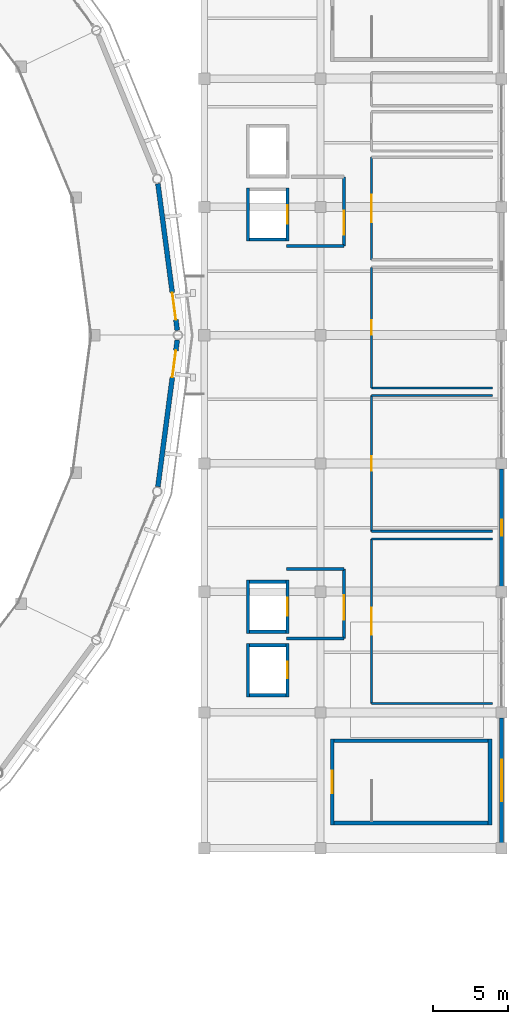
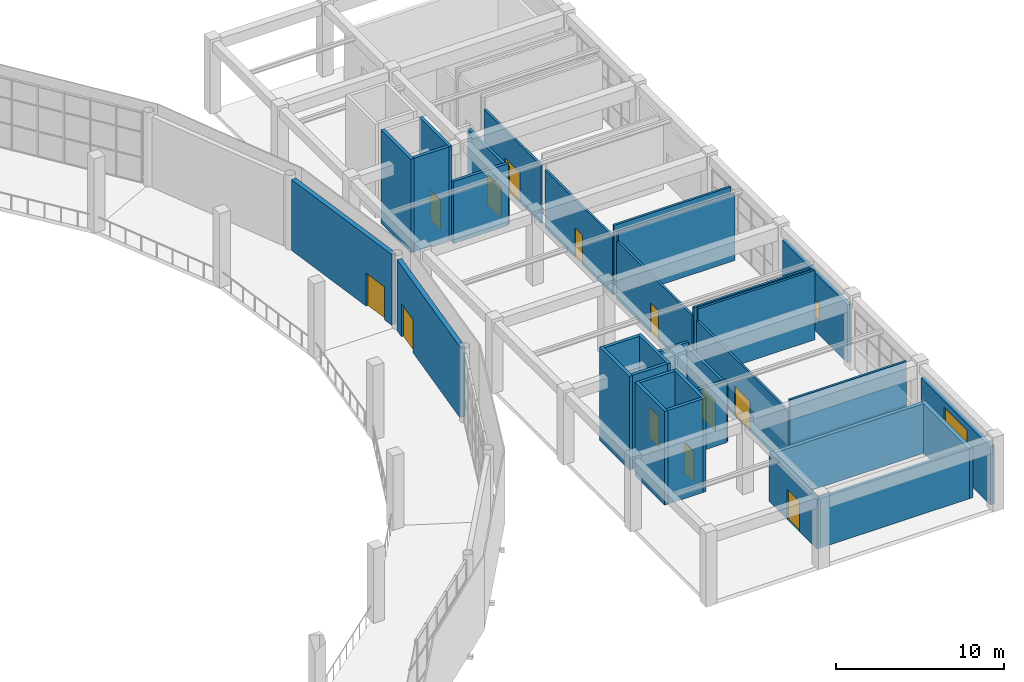
# One storey, part 34 of 40: 33 walls, 12 doors, 2 windows, 14 openings.
"""IFC4 building model written with IfcOpenShell, lengths in metres."""

import ifcopenshell
import ifcopenshell.guid

model = None  # the IFC model being written
_history = None  # IfcOwnerHistory: only IFC2X3 demands one
_inside = {}  # id of a spatial element -> (the spatial element, [elements in it])
_under = {}  # id of a project, library or spatial element -> (it, [spatial elements below it])
_declared = {}  # id of a project -> (the project, [libraries it declares])
_typed = {}  # id of a type object -> (the type object, [elements of that type])
_made_of = {}  # id of a material, layer set ... -> (it, [elements and type objects made of it])


def new_model(schema):
    """Start an empty IFC model of exactly this schema.

    Asked for "IFC4X3", IfcOpenShell would pick the latest addendum, in which some entities
    have other attributes; the version numbers below select the first issue.
    IFC2X3 requires an IfcOwnerHistory on every rooted entity: one is made here for all.
    """
    global model, _history
    if schema == "IFC4X3":
        model = ifcopenshell.file(schema_version=(4, 3, 0, 0))
    else:
        model = ifcopenshell.file(schema=schema)
    _inside.clear()
    _under.clear()
    _declared.clear()
    _typed.clear()
    _made_of.clear()
    _history = None
    if model.schema == "IFC2X3":
        org = make("IfcOrganization", Name="unknown")
        user = make(
            "IfcPersonAndOrganization",
            ThePerson=make("IfcPerson", FamilyName="unknown"),
            TheOrganization=org,
        )
        app = make(
            "IfcApplication",
            ApplicationDeveloper=org,
            Version="unknown",
            ApplicationFullName="unknown",
            ApplicationIdentifier="unknown",
        )
        _history = make(
            "IfcOwnerHistory",
            OwningUser=user,
            OwningApplication=app,
            ChangeAction="ADDED",
            CreationDate=0,
        )
    return model


def make(cls, **values):
    """One entity of the class cls with the attributes given. An attribute that is None is left unset."""
    return model.create_entity(
        cls, **{name: value for name, value in values.items() if value is not None}
    )


def rooted(cls, **values):
    """An entity with a GlobalId (a new one), such as an element, a storey or a relation."""
    return make(cls, GlobalId=ifcopenshell.guid.new(), OwnerHistory=_history, **values)


def si_unit(unit_type, name, prefix=None):
    """IfcSIUnit, for example si_unit("LENGTHUNIT", "METRE", prefix="MILLI")."""
    return make("IfcSIUnit", UnitType=unit_type, Prefix=prefix, Name=name)


def assignment(units):
    """IfcUnitAssignment: the units of a project."""
    return None if units is None else make("IfcUnitAssignment", Units=units)


def point(xyz):
    """IfcCartesianPoint."""
    return None if xyz is None else make("IfcCartesianPoint", Coordinates=xyz)


def direction(xyz):
    """IfcDirection."""
    return None if xyz is None else make("IfcDirection", DirectionRatios=xyz)


def frame(location, z_axis=None, x_axis=None):
    """IfcAxis2Placement3D, a coordinate frame: its origin and axes. An axis left out is left unset."""
    return make(
        "IfcAxis2Placement3D",
        Location=point(location),
        Axis=direction(z_axis),
        RefDirection=direction(x_axis),
    )


def frame_2d(location, x_axis=None):
    """IfcAxis2Placement2D, a coordinate frame in the plane: its origin and x axis."""
    return make(
        "IfcAxis2Placement2D", Location=point(location), RefDirection=direction(x_axis)
    )


def origin():
    """The frame at (0, 0, 0) with its axes left unset."""
    return frame((0.0, 0.0, 0.0))


def place(relative_to, where):
    """IfcLocalPlacement: puts the frame where relative to a parent placement (None: the world)."""
    return make(
        "IfcLocalPlacement", PlacementRelTo=relative_to, RelativePlacement=where
    )


def context(
    kind, dimensions, precision=None, world=None, true_north=None, identifier=None
):
    """IfcGeometricRepresentationContext, for example the 3D "Model" context."""
    return make(
        "IfcGeometricRepresentationContext",
        ContextIdentifier=identifier,
        ContextType=kind,
        CoordinateSpaceDimension=dimensions,
        Precision=precision,
        WorldCoordinateSystem=world,
        TrueNorth=true_north,
    )


def subcontext(parent, identifier, kind, view, scale=None):
    """IfcGeometricRepresentationSubContext, for example "Body" below "Model"."""
    return make(
        "IfcGeometricRepresentationSubContext",
        ContextIdentifier=identifier,
        ContextType=kind,
        ParentContext=parent,
        TargetScale=scale,
        TargetView=view,
    )


def project(units=None, contexts=None):
    """IfcProject with its units and contexts."""
    return rooted(
        "IfcProject",
        Name="project",
        RepresentationContexts=contexts,
        UnitsInContext=assignment(units),
    )


def spatial(cls, under=None, at=None, **own):
    """A site, building, storey or space (cls), placed at a placement, below another one or the project."""
    s = rooted(cls, ObjectPlacement=at, **own)
    if under is not None:
        _under.setdefault(under.id(), (under, []))[1].append(s)
    return s


def profile(cls, at=None, kind="AREA", **sizes):
    """A parametric profile (cls). Its sizes go by their IFC names, for example OverallWidth=200.0."""
    return make(cls, ProfileType=kind, Position=at, **sizes)


def rectangle(**sizes):
    """IfcRectangleProfileDef."""
    return profile("IfcRectangleProfileDef", **sizes)


def extrude(swept, where, along, depth):
    """IfcExtrudedAreaSolid: the profile swept, set in the frame where, extruded along a direction by depth."""
    return make(
        "IfcExtrudedAreaSolid",
        SweptArea=swept,
        Position=where,
        ExtrudedDirection=direction(along),
        Depth=depth,
    )


def shape(context_of_items, identifier, shape_type, items):
    """IfcShapeRepresentation: the items that make up one representation, for example the "Body"."""
    return make(
        "IfcShapeRepresentation",
        ContextOfItems=context_of_items,
        RepresentationIdentifier=identifier,
        RepresentationType=shape_type,
        Items=items,
    )


def material(Name=None, Category=None):
    """IfcMaterial."""
    return make("IfcMaterial", Name=Name, Category=Category)


def layer(
    of_material, thickness, ventilated=None, Name=None, Category=None, Priority=None
):
    """IfcMaterialLayer: one layer of a wall or slab, of a material (None: an air gap)."""
    return make(
        "IfcMaterialLayer",
        Material=of_material,
        LayerThickness=thickness,
        IsVentilated=ventilated,
        Name=Name,
        Category=Category,
        Priority=Priority,
    )


def layer_set(layers, Name=None):
    """IfcMaterialLayerSet."""
    return make("IfcMaterialLayerSet", MaterialLayers=layers, LayerSetName=Name)


def made_of(thing, what):
    """Note that an element or type object is made of a material, layer set ...; save() writes the relation."""
    if what is not None:
        _made_of.setdefault(what.id(), (what, []))[1].append(thing)
    return thing


def type_object(cls, material=None, **own):
    """A type object (cls), such as IfcWallType, which elements share."""
    return made_of(rooted(cls, **own), material)


def element(
    cls,
    number,
    at=None,
    inside=None,
    cuts=None,
    type_object=None,
    material=None,
    context=None,
    identifier="Body",
    shape_type=None,
    held_by="IfcProductDefinitionShape",
    body=None,
    shapes=None,
    **own,
):
    """One element of the class cls, such as IfcWall. Its Tag is "e" and its number.

    at: its placement. inside: the storey or other place that contains it. cuts: it is an
    opening in that element (IfcRelVoidsElement). A single representation is given by context,
    identifier, shape_type and body (its items); several are given by shapes. held_by: the class
    of the entity that holds the representations. save() writes the other relations.
    """
    e = rooted(cls, Tag="e%d" % number, ObjectPlacement=at, **own)
    if body is not None:
        shapes = [shape(context, identifier, shape_type, body)]
    if shapes is not None:
        e.Representation = make(held_by, Representations=shapes)
    if inside is not None:
        _inside.setdefault(inside.id(), (inside, []))[1].append(e)
    if cuts is not None:
        rooted(
            "IfcRelVoidsElement", RelatingBuildingElement=cuts, RelatedOpeningElement=e
        )
    if type_object is not None:
        _typed.setdefault(type_object.id(), (type_object, []))[1].append(e)
    return made_of(e, material)


def fill(opening, filler):
    """IfcRelFillsElement: the door or window that sits in an opening."""
    return rooted(
        "IfcRelFillsElement",
        RelatingOpeningElement=opening,
        RelatedBuildingElement=filler,
    )


def aggregate(whole, parts):
    """IfcRelAggregates: a whole, such as a stair, and the parts it consists of."""
    return rooted("IfcRelAggregates", RelatingObject=whole, RelatedObjects=parts)


def save(model, path):
    """Write the relations noted so far, then the file.

    IfcRelAggregates (storeys below a building ...), IfcRelContainedInSpatialStructure (elements
    in a storey), IfcRelDefinesByType, IfcRelAssociatesMaterial and IfcRelDeclares: one each for
    every whole, place, type object, material and project.
    """
    for whole, parts in _under.values():
        aggregate(whole, parts)
    for where, things in _inside.values():
        rooted(
            "IfcRelContainedInSpatialStructure",
            RelatedElements=things,
            RelatingStructure=where,
        )
    for kind, things in _typed.values():
        rooted("IfcRelDefinesByType", RelatedObjects=things, RelatingType=kind)
    for what, things in _made_of.values():
        rooted("IfcRelAssociatesMaterial", RelatedObjects=things, RelatingMaterial=what)
    for by, libraries in _declared.values():
        rooted("IfcRelDeclares", RelatingContext=by, RelatedDefinitions=libraries)
    model.write(path)


model = new_model("IFC4")

# Units and contexts
model_context = context("Model", 3, precision=1e-05, world=origin(), true_north=direction((0.0, 1.0)))
body_context = subcontext(model_context, "Body", "Model", "MODEL_VIEW")
ifc_project = project(units=[si_unit("LENGTHUNIT", "METRE"), si_unit("AREAUNIT", "SQUARE_METRE"), si_unit("VOLUMEUNIT", "CUBIC_METRE"), si_unit("PLANEANGLEUNIT", "RADIAN"), si_unit("MASSUNIT", "GRAM", prefix="KILO")], contexts=[model_context])

# Site, building, storey
site_placement = place(None, origin())
site = spatial("IfcSite", under=ifc_project, at=site_placement, CompositionType="ELEMENT")
building_placement = place(site_placement, origin())
building = spatial("IfcBuilding", under=site, at=building_placement, Name="Cuetzalor Civic Arena", CompositionType="ELEMENT")
storey_placement = place(building_placement, frame((0.0, 0.0, 26.39990234375)))
storey = spatial("IfcBuildingStorey", under=building, at=storey_placement, Name="L05", CompositionType="ELEMENT", Elevation=26.39990234375)

# Walls
ifc_material_1 = material(Name="Acoustic steel-stud gypsum partition", Category="steel")
ifc_layer_1 = layer(ifc_material_1, 0.14990234375)
ifc_layer_set_1 = layer_set([ifc_layer_1], Name="Acoustic steel-stud gypsum partition")
wall_type_1 = type_object("IfcWallType", Name="AcousticGypsumPartition_150", PredefinedType="PARTITIONING", material=ifc_layer_set_1)
for number, where, z_axis, x_axis, name in (
    (1, (67.3798828125, -13.5, 0.0), (0.0, 0.0, 1.0), (1.0, 0.0, 0.0), "Interior Partition IWALL:L05:0559"),
    (2, (75.39990234375, -24.39990234375, 0.0), (0.0, 0.0, 1.0), (-1.0, 0.0, 0.0), "Interior Partition IWALL:L05:0560"),
):
    element("IfcWall", number, at=place(storey_placement, frame(where, z_axis=z_axis, x_axis=x_axis)), inside=storey, type_object=wall_type_1, Name=name, PredefinedType="PARTITIONING", context=body_context, shape_type="SweptSolid", body=[
        extrude(rectangle(XDim=8.02001953125, YDim=0.14990234375, at=frame_2d((4.010009765625, 0.0))), origin(), (0.0, 0.0, 1.0), 5.0400390625),
    ])

# Wall, opening, door
wall_1_placement = place(storey_placement, frame((67.3798828125, -24.39990234375, 0.0), z_axis=(0.0, 0.0, 1.0), x_axis=(0.0, 1.0, 0.0)))
wall_1 = element("IfcWall", 3, at=wall_1_placement, inside=storey, type_object=wall_type_1, Name="Interior Partition IWALL:L05:0561", PredefinedType="PARTITIONING", context=body_context, shape_type="SweptSolid", body=[
    extrude(rectangle(XDim=10.89990234375, YDim=0.14990234375, at=frame_2d((5.449951171875, 0.0))), origin(), (0.0, 0.0, 1.0), 4.205078125),
])
opening_1_placement = place(wall_1_placement, frame((4.550048828125, 0.0, 0.0)))
opening_1 = element("IfcOpeningElement", 4, at=opening_1_placement, cuts=wall_1, Name="Opening ID-06", PredefinedType="OPENING", context=body_context, shape_type="SweptSolid", body=[
    extrude(rectangle(XDim=1.800048828125, YDim=2.199951171875, at=frame_2d((0.89990234375, 1.10009765625))), frame((0.0, 0.0849609375, 0.0), z_axis=(0.0, -1.0, 0.0), x_axis=(1.0, 0.0, 0.0)), (0.0, 0.0, 1.0), 0.169921875),
])
ifc_material_2 = material(Name="Glazed bronze acoustic double door", Category="metal")
door_type_1 = type_object("IfcDoorType", Name="PublicDoubleDoor_1800x2200", OperationType="DOUBLE_DOOR_SINGLE_SWING", PredefinedType="DOOR", material=ifc_material_2)
door_1_placement = place(opening_1_placement, origin())
door_1 = element("IfcDoor", 5, at=door_1_placement, inside=storey, type_object=door_type_1, Name="Door to Media Workroom East L05", OperationType="DOUBLE_DOOR_SINGLE_SWING", OverallHeight=2.199951171875, OverallWidth=1.800048828125, PredefinedType="DOOR", context=body_context, shape_type="SweptSolid", body=[
    extrude(rectangle(XDim=1.800048828125, YDim=2.199951171875, at=frame_2d((0.89990234375, 1.10009765625))), frame((0.0, 0.02490234375, 0.0), z_axis=(0.0, -1.0, 0.0), x_axis=(1.0, 0.0, 0.0)), (0.0, 0.0, 1.0), 0.050048828125),
])
fill(opening_1, door_1)

# Walls
for number, where, z_axis, x_axis, name in (
    (6, (67.3798828125, -4.0, 0.0), (0.0, 0.0, 1.0), (1.0, 0.0, 0.0), "Interior Partition IWALL:L05:0562"),
    (7, (75.39990234375, -13.0, 0.0), (0.0, 0.0, 1.0), (-1.0, 0.0, 0.0), "Interior Partition IWALL:L05:0563"),
):
    element("IfcWall", number, at=place(storey_placement, frame(where, z_axis=z_axis, x_axis=x_axis)), inside=storey, type_object=wall_type_1, Name=name, PredefinedType="PARTITIONING", context=body_context, shape_type="SweptSolid", body=[
        extrude(rectangle(XDim=8.02001953125, YDim=0.14990234375, at=frame_2d((4.010009765625, 0.0))), origin(), (0.0, 0.0, 1.0), 4.842041015625),
    ])

# Wall, opening, door
wall_2_placement = place(storey_placement, frame((67.3798828125, -13.0, 0.0), z_axis=(0.0, 0.0, 1.0), x_axis=(0.0, 1.0, 0.0)))
wall_2 = element("IfcWall", 8, at=wall_2_placement, inside=storey, type_object=wall_type_1, Name="Interior Partition IWALL:L05:0564", PredefinedType="PARTITIONING", context=body_context, shape_type="SweptSolid", body=[
    extrude(rectangle(XDim=9.0, YDim=0.14990234375, at=frame_2d((4.5, 0.0))), origin(), (0.0, 0.0, 1.0), 4.205078125),
])
opening_2_placement = place(wall_2_placement, frame((4.02490234375, 0.0, 0.0)))
opening_2 = element("IfcOpeningElement", 9, at=opening_2_placement, cuts=wall_2, Name="Opening ID-03", PredefinedType="OPENING", context=body_context, shape_type="SweptSolid", body=[
    extrude(rectangle(XDim=0.949951171875, YDim=2.14990234375, at=frame_2d((0.47509765625, 1.074951171875))), frame((0.0, 0.0849609375, 0.0), z_axis=(0.0, -1.0, 0.0), x_axis=(1.0, 0.0, 0.0)), (0.0, 0.0, 1.0), 0.169921875),
])
ifc_material_3 = material(Name="Painted steel frame and solid timber leaf", Category="steel")
door_type_2 = type_object("IfcDoorType", Name="InteriorSingleDoor_950x2150", OperationType="NOTDEFINED", PredefinedType="DOOR", material=ifc_material_3)
door_2_placement = place(opening_2_placement, origin())
door_2 = element("IfcDoor", 10, at=door_2_placement, inside=storey, type_object=door_type_2, Name="Door to Broadcast Studio East A L05", OperationType="SINGLE_SWING_LEFT", OverallHeight=2.14990234375, OverallWidth=0.949951171875, PredefinedType="DOOR", context=body_context, shape_type="SweptSolid", body=[
    extrude(rectangle(XDim=0.949951171875, YDim=2.14990234375, at=frame_2d((0.47509765625, 1.074951171875))), frame((0.0, 0.02490234375, 0.0), z_axis=(0.0, -1.0, 0.0), x_axis=(1.0, 0.0, 0.0)), (0.0, 0.0, 1.0), 0.050048828125),
])
fill(opening_2, door_2)

# Wall
wall_3_placement = place(storey_placement, frame((75.39990234375, -3.5, 0.0), z_axis=(0.0, 0.0, 1.0), x_axis=(-1.0, 0.0, 0.0)))
element("IfcWall", 11, at=wall_3_placement, inside=storey, type_object=wall_type_1, Name="Interior Partition IWALL:L05:0566", PredefinedType="PARTITIONING", context=body_context, shape_type="SweptSolid", body=[
    extrude(rectangle(XDim=8.02001953125, YDim=0.14990234375, at=frame_2d((4.010009765625, 0.0))), origin(), (0.0, 0.0, 1.0), 5.0400390625),
])

# Wall, opening, door
wall_4_placement = place(storey_placement, frame((67.3798828125, -3.5, 0.0), z_axis=(0.0, 0.0, 1.0), x_axis=(0.0, 1.0, 0.0)))
wall_4 = element("IfcWall", 12, at=wall_4_placement, inside=storey, type_object=wall_type_1, Name="Interior Partition IWALL:L05:0567", PredefinedType="PARTITIONING", context=body_context, shape_type="SweptSolid", body=[
    extrude(rectangle(XDim=8.0, YDim=0.14990234375, at=frame_2d((4.0, 0.0))), origin(), (0.0, 0.0, 1.0), 4.205078125),
])
opening_3_placement = place(wall_4_placement, frame((3.52490234375, 0.0, 0.0)))
opening_3 = element("IfcOpeningElement", 13, at=opening_3_placement, cuts=wall_4, Name="Opening ID-03", PredefinedType="OPENING", context=body_context, shape_type="SweptSolid", body=[
    extrude(rectangle(XDim=0.949951171875, YDim=2.14990234375, at=frame_2d((0.47509765625, 1.074951171875))), frame((0.0, 0.0849609375, 0.0), z_axis=(0.0, -1.0, 0.0), x_axis=(1.0, 0.0, 0.0)), (0.0, 0.0, 1.0), 0.169921875),
])
door_3_placement = place(opening_3_placement, origin())
door_3 = element("IfcDoor", 14, at=door_3_placement, inside=storey, type_object=door_type_2, Name="Door to Broadcast Studio East B L05", OperationType="SINGLE_SWING_RIGHT", OverallHeight=2.14990234375, OverallWidth=0.949951171875, PredefinedType="DOOR", context=body_context, shape_type="SweptSolid", body=[
    extrude(rectangle(XDim=0.949951171875, YDim=2.14990234375, at=frame_2d((0.47509765625, 1.074951171875))), frame((0.0, 0.02490234375, 0.0), z_axis=(0.0, -1.0, 0.0), x_axis=(1.0, 0.0, 0.0)), (0.0, 0.0, 1.0), 0.050048828125),
])
fill(opening_3, door_3)

wall_5_placement = place(storey_placement, frame((67.3798828125, 5.0, 0.0), z_axis=(0.0, 0.0, 1.0), x_axis=(0.0, 1.0, 0.0)))
wall_5 = element("IfcWall", 15, at=wall_5_placement, inside=storey, type_object=wall_type_1, Name="Interior Partition IWALL:L05:0570", PredefinedType="PARTITIONING", context=body_context, shape_type="SweptSolid", body=[
    extrude(rectangle(XDim=6.800048828125, YDim=0.14990234375, at=frame_2d((3.39990234375, 0.0))), origin(), (0.0, 0.0, 1.0), 4.205078125),
])
opening_4_placement = place(wall_5_placement, frame((2.5, 0.0, 0.0)))
opening_4 = element("IfcOpeningElement", 16, at=opening_4_placement, cuts=wall_5, Name="Opening ID-06", PredefinedType="OPENING", context=body_context, shape_type="SweptSolid", body=[
    extrude(rectangle(XDim=1.800048828125, YDim=2.199951171875, at=frame_2d((0.89990234375, 1.10009765625))), frame((0.0, 0.0849609375, 0.0), z_axis=(0.0, -1.0, 0.0), x_axis=(1.0, 0.0, 0.0)), (0.0, 0.0, 1.0), 0.169921875),
])
door_4_placement = place(opening_4_placement, origin())
door_4 = element("IfcDoor", 17, at=door_4_placement, inside=storey, type_object=door_type_1, Name="Door to Press Conference Hall East L05", OperationType="DOUBLE_DOOR_SINGLE_SWING", OverallHeight=2.199951171875, OverallWidth=1.800048828125, PredefinedType="DOOR", context=body_context, shape_type="SweptSolid", body=[
    extrude(rectangle(XDim=1.800048828125, YDim=2.199951171875, at=frame_2d((0.89990234375, 1.10009765625))), frame((0.0, 0.02490234375, 0.0), z_axis=(0.0, -1.0, 0.0), x_axis=(1.0, 0.0, 0.0)), (0.0, 0.0, 1.0), 0.050048828125),
])
fill(opening_4, door_4)

ifc_material_4 = material(Name="Concrete C40/50", Category="concrete")
ifc_layer_2 = layer(ifc_material_4, 0.25)
ifc_layer_set_2 = layer_set([ifc_layer_2], Name="Concrete C40/50")
wall_type_2 = type_object("IfcWallType", Name="ConcreteCoreShearWall_250", PredefinedType="SHEAR", material=ifc_layer_set_2)
wall_6_placement = place(storey_placement, frame((64.77490234375, -32.449951171875, 0.0), z_axis=(0.0, 0.0, 1.0), x_axis=(0.0, 1.0, 0.0)))
wall_6 = element("IfcWall", 18, at=wall_6_placement, inside=storey, type_object=wall_type_2, Name="Stair Core Shear Wall ST-21-L05-W", PredefinedType="SHEAR", context=body_context, shape_type="SweptSolid", body=[
    extrude(rectangle(XDim=5.699951171875, YDim=0.25, at=frame_2d((2.85009765625, 0.0))), origin(), (0.0, 0.0, 1.0), 3.60009765625),
])
opening_5_placement = place(wall_6_placement, frame((2.10009765625, 0.0, 0.0)))
opening_5 = element("IfcOpeningElement", 19, at=opening_5_placement, cuts=wall_6, Name="Opening FD-03", PredefinedType="OPENING", context=body_context, shape_type="SweptSolid", body=[
    extrude(rectangle(XDim=1.5, YDim=2.199951171875, at=frame_2d((0.75, 1.10009765625))), frame((0.0, 0.135009765625, 0.0), z_axis=(0.0, -1.0, 0.0), x_axis=(1.0, 0.0, 0.0)), (0.0, 0.0, 1.0), 0.27001953125),
])
ifc_material_5 = material(Name="Fire-rated steel stair exit double door", Category="steel")
door_type_3 = type_object("IfcDoorType", Name="StairFireDoubleDoor_1500x2200", OperationType="DOUBLE_DOOR_SINGLE_SWING", PredefinedType="DOOR", material=ifc_material_5)
door_5_placement = place(opening_5_placement, origin())
door_5 = element("IfcDoor", 20, at=door_5_placement, inside=storey, type_object=door_type_3, Name="Fire Stair Door ST-21 L05", OperationType="DOUBLE_DOOR_SINGLE_SWING", OverallHeight=2.199951171875, OverallWidth=1.5, PredefinedType="DOOR", context=body_context, shape_type="SweptSolid", body=[
    extrude(rectangle(XDim=1.5, YDim=2.199951171875, at=frame_2d((0.75, 1.10009765625))), frame((0.0, 0.02490234375, 0.0), z_axis=(0.0, -1.0, 0.0), x_axis=(1.0, 0.0, 0.0)), (0.0, 0.0, 1.0), 0.050048828125),
])
fill(opening_5, door_5)

# Walls
wall_7_placement = place(storey_placement, frame((64.89990234375, -26.875, 0.0), z_axis=(0.0, 0.0, 1.0), x_axis=(1.0, 0.0, 0.0)))
element("IfcWall", 21, at=wall_7_placement, inside=storey, type_object=wall_type_2, Name="Stair Core Shear Wall ST-21-L05-N", PredefinedType="SHEAR", context=body_context, shape_type="SweptSolid", body=[
    extrude(rectangle(XDim=10.2001953125, YDim=0.25, at=frame_2d((5.10009765625, 0.0))), origin(), (0.0, 0.0, 1.0), 3.60009765625),
])
wall_8_placement = place(storey_placement, frame((75.22509765625, -26.75, 0.0), z_axis=(0.0, 0.0, 1.0), x_axis=(0.0, -1.0, 0.0)))
element("IfcWall", 22, at=wall_8_placement, inside=storey, type_object=wall_type_2, Name="Stair Core Shear Wall ST-21-L05-E", PredefinedType="SHEAR", context=body_context, shape_type="SweptSolid", body=[
    extrude(rectangle(XDim=5.699951171875, YDim=0.25, at=frame_2d((2.85009765625, 0.0))), origin(), (0.0, 0.0, 1.0), 3.60009765625),
])
wall_9_placement = place(storey_placement, frame((75.10009765625, -32.324951171875, 0.0), z_axis=(0.0, 0.0, 1.0), x_axis=(-1.0, 0.0, 0.0)))
element("IfcWall", 23, at=wall_9_placement, inside=storey, type_object=wall_type_2, Name="Stair Core Shear Wall ST-21-L05-S", PredefinedType="SHEAR", context=body_context, shape_type="SweptSolid", body=[
    extrude(rectangle(XDim=10.2001953125, YDim=0.25, at=frame_2d((5.10009765625, 0.0))), origin(), (0.0, 0.0, 1.0), 3.60009765625),
])

# Wall, opening, door
ifc_material_6 = material(Name="Fire-rated masonry and gypsum partition", Category="masonry")
ifc_layer_3 = layer(ifc_material_6, 0.199951171875)
ifc_layer_set_3 = layer_set([ifc_layer_3], Name="Fire-rated masonry and gypsum partition")
wall_type_3 = type_object("IfcWallType", Name="FireCompartmentWall_200", PredefinedType="PARTITIONING", material=ifc_layer_set_3)
wall_10_placement = place(storey_placement, frame((65.550048828125, -15.5, 0.0), z_axis=(0.0, 0.0, 1.0), x_axis=(0.0, -1.0, 0.0)))
wall_10 = element("IfcWall", 24, at=wall_10_placement, inside=storey, type_object=wall_type_3, Name="Interior Partition IWALL:L05:0052", PredefinedType="PARTITIONING", context=body_context, shape_type="SweptSolid", body=[
    extrude(rectangle(XDim=4.60009765625, YDim=0.199951171875, at=frame_2d((2.300048828125, 0.0))), origin(), (0.0, 0.0, 1.0), 4.205078125),
])
opening_6_placement = place(wall_10_placement, frame((1.75, 0.0, 0.0)))
opening_6 = element("IfcOpeningElement", 25, at=opening_6_placement, cuts=wall_10, Name="Opening FD-05", PredefinedType="OPENING", context=body_context, shape_type="SweptSolid", body=[
    extrude(rectangle(XDim=1.60009765625, YDim=2.199951171875, at=frame_2d((0.800048828125, 1.10009765625))), frame((0.0, 0.10986328125, 0.0), z_axis=(0.0, -1.0, 0.0), x_axis=(1.0, 0.0, 0.0)), (0.0, 0.0, 1.0), 0.219970703125),
])
ifc_material_7 = material(Name="Fire-rated smoke-seal lobby double door", Category="steel")
door_type_4 = type_object("IfcDoorType", Name="FireLobbyDoubleDoor_1600x2200", OperationType="DOUBLE_DOOR_SINGLE_SWING", PredefinedType="DOOR", material=ifc_material_7)
door_6_placement = place(opening_6_placement, origin())
door_6 = element("IfcDoor", 26, at=door_6_placement, inside=storey, type_object=door_type_4, Name="Door to Firefighting Lift Lobby LF-03 L05", OperationType="DOUBLE_DOOR_SINGLE_SWING", OverallHeight=2.199951171875, OverallWidth=1.60009765625, PredefinedType="DOOR", context=body_context, shape_type="SweptSolid", body=[
    extrude(rectangle(XDim=1.60009765625, YDim=2.199951171875, at=frame_2d((0.800048828125, 1.10009765625))), frame((0.0, 0.02490234375, 0.0), z_axis=(0.0, -1.0, 0.0), x_axis=(1.0, 0.0, 0.0)), (0.0, 0.0, 1.0), 0.050048828125),
])
fill(opening_6, door_6)

# Walls
for number, where, z_axis, x_axis, name in (
    (27, (61.75, -15.5, 0.0), (0.0, 0.0, 1.0), (1.0, 0.0, 0.0), "Interior Partition IWALL:L05:0053"),
    (28, (65.550048828125, -20.10009765625, 0.0), (0.0, 0.0, 1.0), (-1.0, 0.0, 0.0), "Interior Partition IWALL:L05:0054"),
):
    element("IfcWall", number, at=place(storey_placement, frame(where, z_axis=z_axis, x_axis=x_axis)), inside=storey, type_object=wall_type_3, Name=name, PredefinedType="PARTITIONING", context=body_context, shape_type="SweptSolid", body=[
        extrude(rectangle(XDim=3.800048828125, YDim=0.199951171875, at=frame_2d((1.89990234375, 0.0))), origin(), (0.0, 0.0, 1.0), 4.505126953125),
    ])

# Wall, opening, door
wall_11_placement = place(storey_placement, frame((65.550048828125, 10.5, 0.0), z_axis=(0.0, 0.0, 1.0), x_axis=(0.0, -1.0, 0.0)))
wall_11 = element("IfcWall", 29, at=wall_11_placement, inside=storey, type_object=wall_type_3, Name="Interior Partition IWALL:L05:0070", PredefinedType="PARTITIONING", context=body_context, shape_type="SweptSolid", body=[
    extrude(rectangle(XDim=4.60009765625, YDim=0.199951171875, at=frame_2d((2.300048828125, 0.0))), origin(), (0.0, 0.0, 1.0), 4.205078125),
])
opening_7_placement = place(wall_11_placement, frame((2.25, 0.0, 0.0)))
opening_7 = element("IfcOpeningElement", 30, at=opening_7_placement, cuts=wall_11, Name="Opening FD-05", PredefinedType="OPENING", context=body_context, shape_type="SweptSolid", body=[
    extrude(rectangle(XDim=1.60009765625, YDim=2.199951171875, at=frame_2d((0.800048828125, 1.10009765625))), frame((0.0, 0.10986328125, 0.0), z_axis=(0.0, -1.0, 0.0), x_axis=(1.0, 0.0, 0.0)), (0.0, 0.0, 1.0), 0.219970703125),
])
door_7_placement = place(opening_7_placement, origin())
door_7 = element("IfcDoor", 31, at=door_7_placement, inside=storey, type_object=door_type_4, Name="Door to Firefighting Lift Lobby LF-04 L05", OperationType="DOUBLE_DOOR_SINGLE_SWING", OverallHeight=2.199951171875, OverallWidth=1.60009765625, PredefinedType="DOOR", context=body_context, shape_type="SweptSolid", body=[
    extrude(rectangle(XDim=1.60009765625, YDim=2.199951171875, at=frame_2d((0.800048828125, 1.10009765625))), frame((0.0, 0.02490234375, 0.0), z_axis=(0.0, -1.0, 0.0), x_axis=(1.0, 0.0, 0.0)), (0.0, 0.0, 1.0), 0.050048828125),
])
fill(opening_7, door_7)

# Wall
wall_12_placement = place(storey_placement, frame((65.550048828125, 5.89990234375, 0.0), z_axis=(0.0, 0.0, 1.0), x_axis=(-1.0, 0.0, 0.0)))
element("IfcWall", 32, at=wall_12_placement, inside=storey, type_object=wall_type_3, Name="Interior Partition IWALL:L05:0072", PredefinedType="PARTITIONING", context=body_context, shape_type="SweptSolid", body=[
    extrude(rectangle(XDim=3.800048828125, YDim=0.199951171875, at=frame_2d((1.89990234375, 0.0))), origin(), (0.0, 0.0, 1.0), 4.505126953125),
])

# Wall, opening, door
ifc_material_8 = material(Name="Precast concrete C40/50 insulated cladding", Category="concrete")
ifc_layer_4 = layer(ifc_material_8, 0.320068359375)
ifc_layer_set_4 = layer_set([ifc_layer_4], Name="Precast concrete C40/50 insulated cladding")
wall_type_4 = type_object("IfcWallType", Name="InsulatedPrecastWall_320", PredefinedType="SOLIDWALL", material=ifc_layer_set_4)
wall_13_placement = place(storey_placement, frame((53.224853515625, 10.036865234375, 0.0), z_axis=(0.0, 0.0, 1.0), x_axis=(0.130894016981, -0.991396366908, 0.0)))
wall_13 = element("IfcWall", 33, at=wall_13_placement, inside=storey, type_object=wall_type_4, Name="Drum Acoustic Backing Wall L05-073", PredefinedType="SOLIDWALL", context=body_context, shape_type="SweptSolid", body=[
    extrude(rectangle(XDim=9.799560546875, YDim=0.320068359375, at=frame_2d((4.89990234375, 0.0))), origin(), (0.0, 0.0, 1.0), 5.135986328125),
])
opening_8_placement = place(wall_13_placement, frame((7.299560546875, 0.0, 0.0)))
opening_8 = element("IfcOpeningElement", 34, at=opening_8_placement, cuts=wall_13, Name="Opening ED-09", PredefinedType="OPENING", context=body_context, shape_type="SweptSolid", body=[
    extrude(rectangle(XDim=1.800048828125, YDim=2.39990234375, at=frame_2d((0.89990234375, 1.199951171875))), frame((0.0, 0.169921875, 0.0), z_axis=(0.0, -1.0, 0.0), x_axis=(1.0, 0.0, 0.0)), (0.0, 0.0, 1.0), 0.340087890625),
])
ifc_material_9 = material(Name="Thermally broken bronze steel and laminated glass", Category="steel")
door_type_5 = type_object("IfcDoorType", Name="RoofGardenGlazedDoor_1800x2400", OperationType="DOUBLE_DOOR_SINGLE_SWING", PredefinedType="DOOR", material=ifc_material_9)
door_8_placement = place(opening_8_placement, origin())
door_8 = element("IfcDoor", 35, at=door_8_placement, inside=storey, type_object=door_type_5, Name="Seismic Bridge Circulation Door L05-S01", OperationType="DOUBLE_DOOR_SINGLE_SWING", OverallHeight=2.39990234375, OverallWidth=1.800048828125, PredefinedType="DOOR", context=body_context, shape_type="SweptSolid", body=[
    extrude(rectangle(XDim=1.800048828125, YDim=2.39990234375, at=frame_2d((0.89990234375, 1.199951171875))), frame((0.0, 0.02490234375, 0.0), z_axis=(0.0, -1.0, 0.0), x_axis=(1.0, 0.0, 0.0)), (0.0, 0.0, 1.0), 0.050048828125),
])
fill(opening_8, door_8)

wall_14_placement = place(storey_placement, frame((54.507568359375, -0.321533203125, 0.0), z_axis=(0.0, 0.0, 1.0), x_axis=(-0.130894016981, -0.991396366908, 0.0)))
wall_14 = element("IfcWall", 36, at=wall_14_placement, inside=storey, type_object=wall_type_4, Name="Drum Acoustic Backing Wall L05-088", PredefinedType="SOLIDWALL", context=body_context, shape_type="SweptSolid", body=[
    extrude(rectangle(XDim=9.799560546875, YDim=0.320068359375, at=frame_2d((4.89990234375, 0.0))), origin(), (0.0, 0.0, 1.0), 5.135986328125),
])
opening_9_placement = place(wall_14_placement, frame((0.699951171875, 0.0, 0.0)))
opening_9 = element("IfcOpeningElement", 37, at=opening_9_placement, cuts=wall_14, Name="Opening ED-09", PredefinedType="OPENING", context=body_context, shape_type="SweptSolid", body=[
    extrude(rectangle(XDim=1.800048828125, YDim=2.39990234375, at=frame_2d((0.89990234375, 1.199951171875))), frame((0.0, 0.169921875, 0.0), z_axis=(0.0, -1.0, 0.0), x_axis=(1.0, 0.0, 0.0)), (0.0, 0.0, 1.0), 0.340087890625),
])
door_9_placement = place(opening_9_placement, origin())
door_9 = element("IfcDoor", 38, at=door_9_placement, inside=storey, type_object=door_type_5, Name="Seismic Bridge Circulation Door L05-S28", OperationType="DOUBLE_DOOR_SINGLE_SWING", OverallHeight=2.39990234375, OverallWidth=1.800048828125, PredefinedType="DOOR", context=body_context, shape_type="SweptSolid", body=[
    extrude(rectangle(XDim=1.800048828125, YDim=2.39990234375, at=frame_2d((0.89990234375, 1.199951171875))), frame((0.0, 0.02490234375, 0.0), z_axis=(0.0, -1.0, 0.0), x_axis=(1.0, 0.0, 0.0)), (0.0, 0.0, 1.0), 0.050048828125),
])
fill(opening_9, door_9)

# Walls
ifc_material_10 = material(Name="Concrete C40/50", Category="concrete")
ifc_layer_5 = layer(ifc_material_10, 0.219970703125)
ifc_layer_set_5 = layer_set([ifc_layer_5], Name="Concrete C40/50")
wall_type_5 = type_object("IfcWallType", Name="LiftShaftShearWall_220", PredefinedType="SHEAR", material=ifc_layer_set_5)
wall_15_placement = place(storey_placement, frame((59.18994140625, -19.77001953125, 0.0), z_axis=(0.0, 0.0, 1.0), x_axis=(0.0, 1.0, 0.0)))
element("IfcWall", 39, at=wall_15_placement, inside=storey, type_object=wall_type_5, Name="Lift Shaft Wall LF-03-L05-W", PredefinedType="SHEAR", context=body_context, shape_type="SweptSolid", body=[
    extrude(rectangle(XDim=3.5400390625, YDim=0.219970703125, at=frame_2d((1.77001953125, 0.0))), origin(), (0.0, 0.0, 1.0), 6.800048828125),
])
wall_16_placement = place(storey_placement, frame((59.300048828125, -16.340087890625, 0.0), z_axis=(0.0, 0.0, 1.0), x_axis=(1.0, 0.0, 0.0)))
element("IfcWall", 40, at=wall_16_placement, inside=storey, type_object=wall_type_5, Name="Lift Shaft Wall LF-03-L05-N", PredefinedType="SHEAR", context=body_context, shape_type="SweptSolid", body=[
    extrude(rectangle(XDim=2.39990234375, YDim=0.219970703125, at=frame_2d((1.199951171875, 0.0))), origin(), (0.0, 0.0, 1.0), 6.800048828125),
])

# Wall, opening, door
wall_17_placement = place(storey_placement, frame((61.81005859375, -16.22998046875, 0.0), z_axis=(0.0, 0.0, 1.0), x_axis=(0.0, -1.0, 0.0)))
wall_17 = element("IfcWall", 41, at=wall_17_placement, inside=storey, type_object=wall_type_5, Name="Lift Shaft Wall LF-03-L05-E", PredefinedType="SHEAR", context=body_context, shape_type="SweptSolid", body=[
    extrude(rectangle(XDim=3.5400390625, YDim=0.219970703125, at=frame_2d((1.77001953125, 0.0))), origin(), (0.0, 0.0, 1.0), 6.800048828125),
])
opening_10_placement = place(wall_17_placement, frame((1.169921875, 0.0, 0.0)))
opening_10 = element("IfcOpeningElement", 42, at=opening_10_placement, cuts=wall_17, Name="Opening LD-02", PredefinedType="OPENING", context=body_context, shape_type="SweptSolid", body=[
    extrude(rectangle(XDim=1.199951171875, YDim=2.199951171875, at=frame_2d((0.60009765625, 1.10009765625))), frame((0.0, 0.1201171875, 0.0), z_axis=(0.0, -1.0, 0.0), x_axis=(1.0, 0.0, 0.0)), (0.0, 0.0, 1.0), 0.239990234375),
])
ifc_material_11 = material(Name="Fire-rated stainless steel sliding lift landing door", Category="steel")
door_type_6 = type_object("IfcDoorType", Name="LiftLandingSlidingDoor_1200x2200", OperationType="SLIDING_TO_LEFT", PredefinedType="DOOR", material=ifc_material_11)
door_10_placement = place(opening_10_placement, origin())
door_10 = element("IfcDoor", 43, at=door_10_placement, inside=storey, type_object=door_type_6, Name="Lift Landing Sliding Door LF-03 L05", OperationType="SLIDING_TO_LEFT", OverallHeight=2.199951171875, OverallWidth=1.199951171875, PredefinedType="DOOR", context=body_context, shape_type="SweptSolid", body=[
    extrude(rectangle(XDim=1.199951171875, YDim=2.199951171875, at=frame_2d((0.60009765625, 1.10009765625))), frame((0.0, 0.02490234375, 0.0), z_axis=(0.0, -1.0, 0.0), x_axis=(1.0, 0.0, 0.0)), (0.0, 0.0, 1.0), 0.050048828125),
])
fill(opening_10, door_10)

# Walls
wall_18_placement = place(storey_placement, frame((61.699951171875, -19.659912109375, 0.0), z_axis=(0.0, 0.0, 1.0), x_axis=(-1.0, 0.0, 0.0)))
element("IfcWall", 44, at=wall_18_placement, inside=storey, type_object=wall_type_5, Name="Lift Shaft Wall LF-03-L05-S", PredefinedType="SHEAR", context=body_context, shape_type="SweptSolid", body=[
    extrude(rectangle(XDim=2.39990234375, YDim=0.219970703125, at=frame_2d((1.199951171875, 0.0))), origin(), (0.0, 0.0, 1.0), 6.800048828125),
])
wall_19_placement = place(storey_placement, frame((59.18994140625, 6.22998046875, 0.0), z_axis=(0.0, 0.0, 1.0), x_axis=(0.0, 1.0, 0.0)))
element("IfcWall", 45, at=wall_19_placement, inside=storey, type_object=wall_type_5, Name="Lift Shaft Wall LF-04-L05-W", PredefinedType="SHEAR", context=body_context, shape_type="SweptSolid", body=[
    extrude(rectangle(XDim=3.5400390625, YDim=0.219970703125, at=frame_2d((1.77001953125, 0.0))), origin(), (0.0, 0.0, 1.0), 6.800048828125),
])

# Wall, opening, door
wall_20_placement = place(storey_placement, frame((61.81005859375, 9.77001953125, 0.0), z_axis=(0.0, 0.0, 1.0), x_axis=(0.0, -1.0, 0.0)))
wall_20 = element("IfcWall", 46, at=wall_20_placement, inside=storey, type_object=wall_type_5, Name="Lift Shaft Wall LF-04-L05-E", PredefinedType="SHEAR", context=body_context, shape_type="SweptSolid", body=[
    extrude(rectangle(XDim=3.5400390625, YDim=0.219970703125, at=frame_2d((1.77001953125, 0.0))), origin(), (0.0, 0.0, 1.0), 6.800048828125),
])
opening_11_placement = place(wall_20_placement, frame((1.169921875, 0.0, 0.0)))
opening_11 = element("IfcOpeningElement", 47, at=opening_11_placement, cuts=wall_20, Name="Opening LD-02", PredefinedType="OPENING", context=body_context, shape_type="SweptSolid", body=[
    extrude(rectangle(XDim=1.199951171875, YDim=2.199951171875, at=frame_2d((0.60009765625, 1.10009765625))), frame((0.0, 0.1201171875, 0.0), z_axis=(0.0, -1.0, 0.0), x_axis=(1.0, 0.0, 0.0)), (0.0, 0.0, 1.0), 0.239990234375),
])
door_11_placement = place(opening_11_placement, origin())
door_11 = element("IfcDoor", 48, at=door_11_placement, inside=storey, type_object=door_type_6, Name="Lift Landing Sliding Door LF-04 L05", OperationType="SLIDING_TO_LEFT", OverallHeight=2.199951171875, OverallWidth=1.199951171875, PredefinedType="DOOR", context=body_context, shape_type="SweptSolid", body=[
    extrude(rectangle(XDim=1.199951171875, YDim=2.199951171875, at=frame_2d((0.60009765625, 1.10009765625))), frame((0.0, 0.02490234375, 0.0), z_axis=(0.0, -1.0, 0.0), x_axis=(1.0, 0.0, 0.0)), (0.0, 0.0, 1.0), 0.050048828125),
])
fill(opening_11, door_11)

# Walls
wall_21_placement = place(storey_placement, frame((61.699951171875, 6.340087890625, 0.0), z_axis=(0.0, 0.0, 1.0), x_axis=(-1.0, 0.0, 0.0)))
element("IfcWall", 49, at=wall_21_placement, inside=storey, type_object=wall_type_5, Name="Lift Shaft Wall LF-04-L05-S", PredefinedType="SHEAR", context=body_context, shape_type="SweptSolid", body=[
    extrude(rectangle(XDim=2.39990234375, YDim=0.219970703125, at=frame_2d((1.199951171875, 0.0))), origin(), (0.0, 0.0, 1.0), 6.800048828125),
])
wall_22_placement = place(storey_placement, frame((59.18994140625, -23.969970703125, 0.0), z_axis=(0.0, 0.0, 1.0), x_axis=(0.0, 1.0, 0.0)))
element("IfcWall", 50, at=wall_22_placement, inside=storey, type_object=wall_type_5, Name="Lift Shaft Wall LP-05-L05-W", PredefinedType="SHEAR", context=body_context, shape_type="SweptSolid", body=[
    extrude(rectangle(XDim=3.5400390625, YDim=0.219970703125, at=frame_2d((1.77001953125, 0.0))), origin(), (0.0, 0.0, 1.0), 6.800048828125),
])
wall_23_placement = place(storey_placement, frame((59.300048828125, -20.5400390625, 0.0), z_axis=(0.0, 0.0, 1.0), x_axis=(1.0, 0.0, 0.0)))
element("IfcWall", 51, at=wall_23_placement, inside=storey, type_object=wall_type_5, Name="Lift Shaft Wall LP-05-L05-N", PredefinedType="SHEAR", context=body_context, shape_type="SweptSolid", body=[
    extrude(rectangle(XDim=2.39990234375, YDim=0.219970703125, at=frame_2d((1.199951171875, 0.0))), origin(), (0.0, 0.0, 1.0), 6.800048828125),
])

# Wall, opening, door
wall_24_placement = place(storey_placement, frame((61.81005859375, -20.429931640625, 0.0), z_axis=(0.0, 0.0, 1.0), x_axis=(0.0, -1.0, 0.0)))
wall_24 = element("IfcWall", 52, at=wall_24_placement, inside=storey, type_object=wall_type_5, Name="Lift Shaft Wall LP-05-L05-E", PredefinedType="SHEAR", context=body_context, shape_type="SweptSolid", body=[
    extrude(rectangle(XDim=3.5400390625, YDim=0.219970703125, at=frame_2d((1.77001953125, 0.0))), origin(), (0.0, 0.0, 1.0), 6.800048828125),
])
opening_12_placement = place(wall_24_placement, frame((1.219970703125, 0.0, 0.0)))
opening_12 = element("IfcOpeningElement", 53, at=opening_12_placement, cuts=wall_24, Name="Opening LD-01", PredefinedType="OPENING", context=body_context, shape_type="SweptSolid", body=[
    extrude(rectangle(XDim=1.10009765625, YDim=2.199951171875, at=frame_2d((0.550048828125, 1.10009765625))), frame((0.0, 0.1201171875, 0.0), z_axis=(0.0, -1.0, 0.0), x_axis=(1.0, 0.0, 0.0)), (0.0, 0.0, 1.0), 0.239990234375),
])
ifc_material_12 = material(Name="Brushed stainless steel sliding lift landing door", Category="steel")
door_type_7 = type_object("IfcDoorType", Name="LiftLandingSlidingDoor_1100x2200", OperationType="SLIDING_TO_LEFT", PredefinedType="DOOR", material=ifc_material_12)
door_12_placement = place(opening_12_placement, origin())
door_12 = element("IfcDoor", 54, at=door_12_placement, inside=storey, type_object=door_type_7, Name="Lift Landing Sliding Door LP-05 L05", OperationType="SLIDING_TO_LEFT", OverallHeight=2.199951171875, OverallWidth=1.10009765625, PredefinedType="DOOR", context=body_context, shape_type="SweptSolid", body=[
    extrude(rectangle(XDim=1.10009765625, YDim=2.199951171875, at=frame_2d((0.550048828125, 1.10009765625))), frame((0.0, 0.02490234375, 0.0), z_axis=(0.0, -1.0, 0.0), x_axis=(1.0, 0.0, 0.0)), (0.0, 0.0, 1.0), 0.050048828125),
])
fill(opening_12, door_12)

# Wall
wall_25_placement = place(storey_placement, frame((61.699951171875, -23.860107421875, 0.0), z_axis=(0.0, 0.0, 1.0), x_axis=(-1.0, 0.0, 0.0)))
element("IfcWall", 55, at=wall_25_placement, inside=storey, type_object=wall_type_5, Name="Lift Shaft Wall LP-05-L05-S", PredefinedType="SHEAR", context=body_context, shape_type="SweptSolid", body=[
    extrude(rectangle(XDim=2.39990234375, YDim=0.219970703125, at=frame_2d((1.199951171875, 0.0))), origin(), (0.0, 0.0, 1.0), 6.800048828125),
])

# Wall, opening, window
ifc_material_13 = material(Name="Insulated bronze aluminium panel wall", Category="aluminium")
ifc_layer_6 = layer(ifc_material_13, 0.260009765625)
ifc_layer_set_6 = layer_set([ifc_layer_6], Name="Insulated bronze aluminium panel wall")
wall_type_6 = type_object("IfcWallType", Name="MediaClerestoryWall_260", PredefinedType="SOLIDWALL", material=ifc_layer_set_6)
wall_26_placement = place(storey_placement, frame((76.0, -25.35693359375, 0.0), z_axis=(0.0, 0.0, 1.0), x_axis=(0.0, -1.0, 0.0)))
wall_26 = element("IfcWall", 56, at=wall_26_placement, inside=storey, type_object=wall_type_6, Name="V4E Media Envelope Wall L05-178", PredefinedType="SOLIDWALL", context=body_context, shape_type="SweptSolid", body=[
    extrude(rectangle(XDim=8.2861328125, YDim=0.260009765625, at=frame_2d((4.14306640625, 0.0))), origin(), (0.0, 0.0, 1.0), 4.22021484375),
])
opening_13_placement = place(wall_26_placement, frame((2.76806640625, 0.0, 0.949951171875)))
opening_13 = element("IfcOpeningElement", 57, at=opening_13_placement, cuts=wall_26, Name="Opening WN-63", PredefinedType="OPENING", context=body_context, shape_type="SweptSolid", body=[
    extrude(rectangle(XDim=2.75, YDim=2.800048828125, at=frame_2d((1.375, 1.39990234375))), frame((0.0, 0.14013671875, 0.0), z_axis=(0.0, -1.0, 0.0), x_axis=(1.0, 0.0, 0.0)), (0.0, 0.0, 1.0), 0.280029296875),
])
ifc_material_14 = material(Name="Anodised bronze aluminium and low-E solar glass", Category="aluminium")
window_type_1 = type_object("IfcWindowType", Name="BronzeThermalWindow_2750x2800", PartitioningType="DOUBLE_PANEL_VERTICAL", PredefinedType="WINDOW", material=ifc_material_14)
window_1_placement = place(opening_13_placement, origin())
window_1 = element("IfcWindow", 58, at=window_1_placement, inside=storey, type_object=window_type_1, Name="Media Studio Window L05-0063", OverallHeight=2.800048828125, OverallWidth=2.75, PartitioningType="SINGLE_PANEL", PredefinedType="WINDOW", context=body_context, shape_type="SweptSolid", body=[
    extrude(rectangle(XDim=2.75, YDim=2.800048828125, at=frame_2d((1.375, 1.39990234375))), frame((0.0, 0.030029296875, 0.0), z_axis=(0.0, -1.0, 0.0), x_axis=(1.0, 0.0, 0.0)), (0.0, 0.0, 1.0), 0.06005859375),
])
fill(opening_13, window_1)

wall_27_placement = place(storey_placement, frame((76.0, -8.85693359375, 0.0), z_axis=(0.0, 0.0, 1.0), x_axis=(0.0, -1.0, 0.0)))
wall_27 = element("IfcWall", 59, at=wall_27_placement, inside=storey, type_object=wall_type_6, Name="V4E Media Envelope Wall L05-179", PredefinedType="SOLIDWALL", context=body_context, shape_type="SweptSolid", body=[
    extrude(rectangle(XDim=7.7861328125, YDim=0.260009765625, at=frame_2d((3.89306640625, 0.0))), origin(), (0.0, 0.0, 1.0), 4.22021484375),
])
opening_14_placement = place(wall_27_placement, frame((3.367919921875, 0.0, 0.949951171875)))
opening_14 = element("IfcOpeningElement", 60, at=opening_14_placement, cuts=wall_27, Name="Opening WN-01", PredefinedType="OPENING", context=body_context, shape_type="SweptSolid", body=[
    extrude(rectangle(XDim=1.050048828125, YDim=1.25, at=frame_2d((0.52490234375, 0.625))), frame((0.0, 0.14013671875, 0.0), z_axis=(0.0, -1.0, 0.0), x_axis=(1.0, 0.0, 0.0)), (0.0, 0.0, 1.0), 0.280029296875),
])
ifc_material_15 = material(Name="Anodised bronze aluminium and low-E solar glass", Category="aluminium")
window_type_2 = type_object("IfcWindowType", Name="BronzeThermalWindow_1050x1250", PartitioningType="SINGLE_PANEL", PredefinedType="WINDOW", material=ifc_material_15)
window_2_placement = place(opening_14_placement, origin())
window_2 = element("IfcWindow", 61, at=window_2_placement, inside=storey, type_object=window_type_2, Name="Media Studio Window L05-0064", OverallHeight=1.25, OverallWidth=1.050048828125, PartitioningType="SINGLE_PANEL", PredefinedType="WINDOW", context=body_context, shape_type="SweptSolid", body=[
    extrude(rectangle(XDim=1.050048828125, YDim=1.25, at=frame_2d((0.52490234375, 0.625))), frame((0.0, 0.030029296875, 0.0), z_axis=(0.0, -1.0, 0.0), x_axis=(1.0, 0.0, 0.0)), (0.0, 0.0, 1.0), 0.06005859375),
])
fill(opening_14, window_2)

save(model, "model.ifc")
